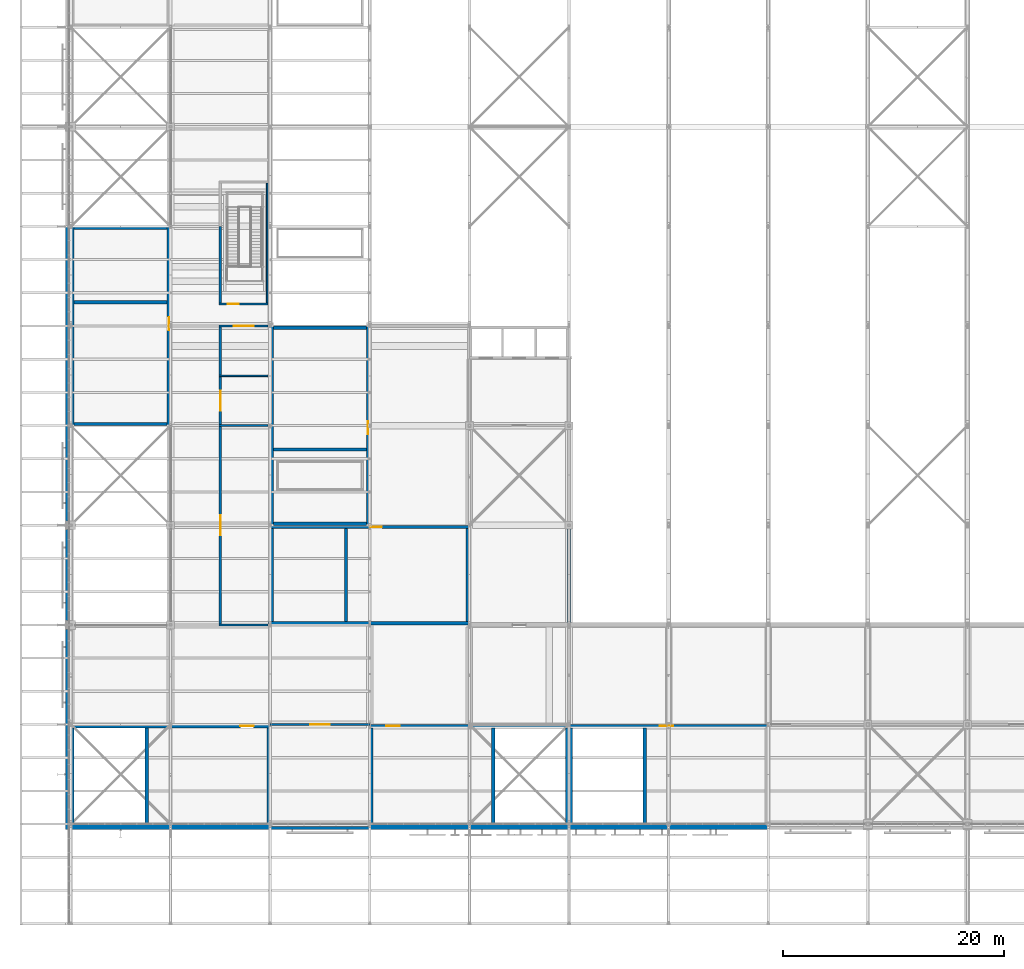
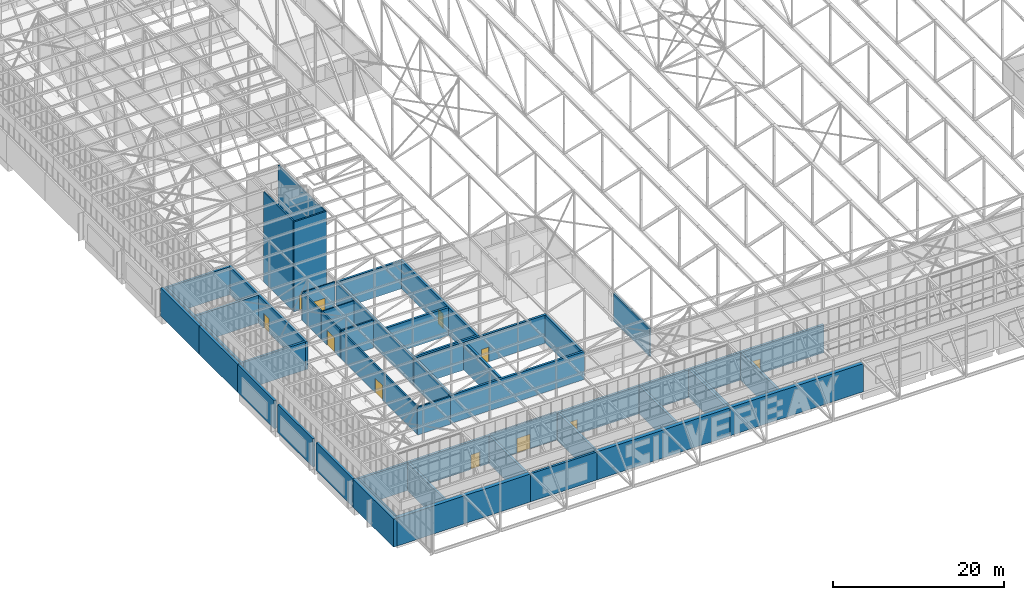
# One storey, part 165 of 646: 48 walls, 11 doors, 11 openings.
"""IFC4 building model written with IfcOpenShell, lengths in metres."""

from ifc_helpers import new_model, si_unit, direction, frame, frame_2d, origin, place, context, subcontext, project, spatial, rectangle, extrude, material, layer, layer_set, type_object, element, fill, save


model = new_model("IFC4")

# Units and contexts
model_context = context("Model", 3, precision=1e-05, world=origin(), true_north=direction((0.0, 1.0)))
body_context = subcontext(model_context, "Body", "Model", "MODEL_VIEW")
ifc_project = project(units=[si_unit("LENGTHUNIT", "METRE"), si_unit("AREAUNIT", "SQUARE_METRE"), si_unit("VOLUMEUNIT", "CUBIC_METRE"), si_unit("PLANEANGLEUNIT", "RADIAN"), si_unit("MASSUNIT", "GRAM", prefix="KILO")], contexts=[model_context])

# Site, building, storey
site_placement = place(None, origin())
site = spatial("IfcSite", under=ifc_project, at=site_placement, CompositionType="ELEMENT")
building_placement = place(site_placement, origin())
building = spatial("IfcBuilding", under=site, at=building_placement, Name="Silverbay Arena", CompositionType="ELEMENT")
storey_placement = place(building_placement, frame((0.0, 0.0, 33.5)))
storey = spatial("IfcBuildingStorey", under=building, at=storey_placement, Name="L05", CompositionType="ELEMENT", Elevation=33.5)

# Walls
ifc_material_1 = material(Name="Anodised aluminium cladding on insulated backing", Category="aluminium")
ifc_layer_1 = layer(ifc_material_1, 0.300048828125)
ifc_layer_set_1 = layer_set([ifc_layer_1], Name="Anodised aluminium cladding on insulated backing")
wall_type_1 = type_object("IfcWallType", Name="Aluminium clad wall 300", PredefinedType="SOLIDWALL", material=ifc_layer_set_1)
wall_1_placement = place(storey_placement, frame((53.64990234375, 35.60009765625, 0.0), z_axis=(0.0, 0.0, 1.0), x_axis=(0.0, -1.0, 0.0)))
element("IfcWall", 1, at=wall_1_placement, inside=storey, type_object=wall_type_1, Name="West external wall L05 bay 2", PredefinedType="SOLIDWALL", context=body_context, shape_type="SweptSolid", body=[
    extrude(rectangle(XDim=8.60009765625, YDim=0.300048828125, at=frame_2d((4.300048828125, 0.0))), origin(), (0.0, 0.0, 1.0), 4.0),
])
wall_2_placement = place(storey_placement, frame((53.64990234375, 44.60009765625, 0.0), z_axis=(0.0, 0.0, 1.0), x_axis=(0.0, -1.0, 0.0)))
element("IfcWall", 2, at=wall_2_placement, inside=storey, type_object=wall_type_1, Name="West external wall L05 bay 3", PredefinedType="SOLIDWALL", context=body_context, shape_type="SweptSolid", body=[
    extrude(rectangle(XDim=8.2001953125, YDim=0.300048828125, at=frame_2d((4.10009765625, 0.0))), origin(), (0.0, 0.0, 1.0), 4.0),
])
wall_3_placement = place(storey_placement, frame((53.64990234375, 54.0, 0.0), z_axis=(0.0, 0.0, 1.0), x_axis=(0.0, -1.0, 0.0)))
element("IfcWall", 3, at=wall_3_placement, inside=storey, type_object=wall_type_1, Name="West external wall L05 bay 4", PredefinedType="SOLIDWALL", context=body_context, shape_type="SweptSolid", body=[
    extrude(rectangle(XDim=8.60009765625, YDim=0.300048828125, at=frame_2d((4.300048828125, 0.0))), origin(), (0.0, 0.0, 1.0), 4.0),
])
ifc_material_2 = material(Name="Anodised aluminium cladding on insulated backing", Category="aluminium")
ifc_layer_2 = layer(ifc_material_2, 0.300048828125)
ifc_layer_set_2 = layer_set([ifc_layer_2], Name="Anodised aluminium cladding on insulated backing")
wall_type_2 = type_object("IfcWallType", Name="Aluminium clad wall 300 EI 120", PredefinedType="SOLIDWALL", material=ifc_layer_set_2)
wall_4_placement = place(storey_placement, frame((72.0, 17.64990234375, 0.0), z_axis=(0.0, 0.0, 1.0), x_axis=(1.0, 0.0, 0.0)))
element("IfcWall", 4, at=wall_4_placement, inside=storey, type_object=wall_type_2, Name="South external wall L05 bay 3", PredefinedType="SOLIDWALL", context=body_context, shape_type="SweptSolid", body=[
    extrude(rectangle(XDim=9.0, YDim=0.300048828125, at=frame_2d((4.5, 0.0))), origin(), (0.0, 0.0, 1.0), 4.0),
])
ifc_material_3 = material(Name="Concrete Grade C45", Category="concrete")
ifc_layer_3 = layer(ifc_material_3, 0.25)
ifc_layer_set_3 = layer_set([ifc_layer_3], Name="Concrete Grade C45")
wall_type_3 = type_object("IfcWallType", Name="Bowl enclosure wall RC 250 EI 120", PredefinedType="SOLIDWALL", material=ifc_layer_set_3)
wall_5_placement = place(storey_placement, frame((99.0, 36.199951171875, 0.0), z_axis=(0.0, 0.0, 1.0), x_axis=(0.0, 1.0, 0.0)))
element("IfcWall", 5, at=wall_5_placement, inside=storey, type_object=wall_type_3, Name="Bowl enclosure wall, corner block SW-x", PredefinedType="SOLIDWALL", context=body_context, shape_type="SweptSolid", body=[
    extrude(rectangle(XDim=8.449951171875, YDim=0.25, at=frame_2d((4.22509765625, 0.0))), origin(), (0.0, 0.0, 1.0), 4.0),
])

# Wall, opening, door
ifc_material_4 = material(Name="Concrete Grade C45", Category="concrete")
ifc_layer_4 = layer(ifc_material_4, 0.300048828125)
ifc_layer_set_4 = layer_set([ifc_layer_4], Name="Concrete Grade C45")
wall_type_4 = type_object("IfcWallType", Name="Core wall RC 300 EI 120", PredefinedType="SHEAR", material=ifc_layer_set_4)
wall_6_placement = place(storey_placement, frame((81.0, 26.85009765625, 0.0), z_axis=(0.0, 0.0, 1.0), x_axis=(1.0, 0.0, 0.0)))
wall_6 = element("IfcWall", 6, at=wall_6_placement, inside=storey, type_object=wall_type_4, Name="Core wall ST-S1 L05 door side", PredefinedType="SHEAR", context=body_context, shape_type="SweptSolid", body=[
    extrude(rectangle(XDim=18.0, YDim=0.300048828125, at=frame_2d((9.0, 0.0))), origin(), (0.0, 0.0, 1.0), 4.0),
])
opening_1_placement = place(wall_6_placement, frame((1.5, 0.0, 0.0)))
opening_1 = element("IfcOpeningElement", 7, at=opening_1_placement, cuts=wall_6, Name="Opening L05-027", PredefinedType="OPENING", context=body_context, shape_type="SweptSolid", body=[
    extrude(rectangle(XDim=1.199951171875, YDim=2.10009765625, at=frame_2d((0.60009765625, 1.050048828125))), frame((0.0, 0.16015625, 0.0), z_axis=(0.0, -1.0, 0.0), x_axis=(1.0, 0.0, 0.0)), (0.0, 0.0, 1.0), 0.320068359375),
])
ifc_material_5 = material(Name="Steel fire door", Category="steel")
door_type_1 = type_object("IfcDoorType", Name="Stair door 1200 x 2100 fire door", OperationType="SINGLE_SWING_LEFT", PredefinedType="DOOR", material=ifc_material_5)
door_1_placement = place(opening_1_placement, frame((1.199951171875, 0.0, 0.0), z_axis=(0.0, 0.0, 1.0), x_axis=(-1.0, 0.0, 0.0)))
door_1 = element("IfcDoor", 8, at=door_1_placement, inside=storey, type_object=door_type_1, Name="Stair door ST-S1 L05", OperationType="SINGLE_SWING_RIGHT", OverallHeight=2.10009765625, OverallWidth=1.199951171875, PredefinedType="DOOR", context=body_context, shape_type="SweptSolid", body=[
    extrude(rectangle(XDim=1.199951171875, YDim=2.10009765625, at=frame_2d((0.60009765625, 1.050048828125))), frame((0.0, 0.02490234375, 0.0), z_axis=(0.0, -1.0, 0.0), x_axis=(1.0, 0.0, 0.0)), (0.0, 0.0, 1.0), 0.050048828125),
])
fill(opening_1, door_1)

# Walls
for number, where, z_axis, x_axis, name in (
    (9, (81.14990234375, 26.699951171875, 0.0), (0.0, 0.0, 1.0), (0.0, -1.0, 0.0), "Core wall ST-S1 L05 end 1"),
    (10, (98.85009765625, 26.699951171875, 0.0), (0.0, 0.0, 1.0), (0.0, -1.0, 0.0), "Core wall ST-S1 L05 end 2"),
    (11, (92.14990234375, 26.699951171875, 0.0), (0.0, 0.0, 1.0), (0.0, -1.0, 0.0), "Core wall ST-S1 L05 stair enclosure"),
):
    element("IfcWall", number, at=place(storey_placement, frame(where, z_axis=z_axis, x_axis=x_axis)), inside=storey, type_object=wall_type_4, Name=name, PredefinedType="SHEAR", context=body_context, shape_type="SweptSolid", body=[
        extrude(rectangle(XDim=8.699951171875, YDim=0.300048828125, at=frame_2d((4.35009765625, 0.0))), origin(), (0.0, 0.0, 1.0), 4.0),
    ])

# Wall, opening, door
wall_7_placement = place(storey_placement, frame((117.0, 26.85009765625, 0.0), z_axis=(0.0, 0.0, 1.0), x_axis=(-1.0, 0.0, 0.0)))
wall_7 = element("IfcWall", 12, at=wall_7_placement, inside=storey, type_object=wall_type_4, Name="Core wall ST-S2 L05 door side", PredefinedType="SHEAR", context=body_context, shape_type="SweptSolid", body=[
    extrude(rectangle(XDim=18.0, YDim=0.300048828125, at=frame_2d((9.0, 0.0))), origin(), (0.0, 0.0, 1.0), 4.0),
])
opening_2_placement = place(wall_7_placement, frame((8.60009765625, 0.0, 0.0)))
opening_2 = element("IfcOpeningElement", 13, at=opening_2_placement, cuts=wall_7, Name="Opening L05-028", PredefinedType="OPENING", context=body_context, shape_type="SweptSolid", body=[
    extrude(rectangle(XDim=1.199951171875, YDim=2.10009765625, at=frame_2d((0.60009765625, 1.050048828125))), frame((0.0, 0.16015625, 0.0), z_axis=(0.0, -1.0, 0.0), x_axis=(1.0, 0.0, 0.0)), (0.0, 0.0, 1.0), 0.320068359375),
])
door_2_placement = place(opening_2_placement, origin())
door_2 = element("IfcDoor", 14, at=door_2_placement, inside=storey, type_object=door_type_1, Name="Stair door ST-S2 L05", OperationType="SINGLE_SWING_RIGHT", OverallHeight=2.10009765625, OverallWidth=1.199951171875, PredefinedType="DOOR", context=body_context, shape_type="SweptSolid", body=[
    extrude(rectangle(XDim=1.199951171875, YDim=2.10009765625, at=frame_2d((0.60009765625, 1.050048828125))), frame((0.0, 0.02490234375, 0.0), z_axis=(0.0, -1.0, 0.0), x_axis=(1.0, 0.0, 0.0)), (0.0, 0.0, 1.0), 0.050048828125),
])
fill(opening_2, door_2)

# Walls
for number, where, z_axis, x_axis, name in (
    (15, (99.14990234375, 26.699951171875, 0.0), (0.0, 0.0, 1.0), (0.0, -1.0, 0.0), "Core wall ST-S2 L05 end 2"),
    (16, (105.85009765625, 26.699951171875, 0.0), (0.0, 0.0, 1.0), (0.0, -1.0, 0.0), "Core wall ST-S2 L05 stair enclosure"),
):
    element("IfcWall", number, at=place(storey_placement, frame(where, z_axis=z_axis, x_axis=x_axis)), inside=storey, type_object=wall_type_4, Name=name, PredefinedType="SHEAR", context=body_context, shape_type="SweptSolid", body=[
        extrude(rectangle(XDim=8.699951171875, YDim=0.300048828125, at=frame_2d((4.35009765625, 0.0))), origin(), (0.0, 0.0, 1.0), 4.0),
    ])

# Wall, opening, door
wall_8_placement = place(storey_placement, frame((72.0, 26.85009765625, 0.0), z_axis=(0.0, 0.0, 1.0), x_axis=(-1.0, 0.0, 0.0)))
wall_8 = element("IfcWall", 17, at=wall_8_placement, inside=storey, type_object=wall_type_4, Name="Core wall ST-S5 L05 door side", PredefinedType="SHEAR", context=body_context, shape_type="SweptSolid", body=[
    extrude(rectangle(XDim=18.0, YDim=0.300048828125, at=frame_2d((9.0, 0.0))), origin(), (0.0, 0.0, 1.0), 4.0),
])
opening_3_placement = place(wall_8_placement, frame((1.5, 0.0, 0.0)))
opening_3 = element("IfcOpeningElement", 18, at=opening_3_placement, cuts=wall_8, Name="Opening L05-035", PredefinedType="OPENING", context=body_context, shape_type="SweptSolid", body=[
    extrude(rectangle(XDim=1.199951171875, YDim=2.10009765625, at=frame_2d((0.60009765625, 1.050048828125))), frame((0.0, 0.16015625, 0.0), z_axis=(0.0, -1.0, 0.0), x_axis=(1.0, 0.0, 0.0)), (0.0, 0.0, 1.0), 0.320068359375),
])
door_3_placement = place(opening_3_placement, origin())
door_3 = element("IfcDoor", 19, at=door_3_placement, inside=storey, type_object=door_type_1, Name="Stair door ST-S5 L05", OperationType="SINGLE_SWING_LEFT", OverallHeight=2.10009765625, OverallWidth=1.199951171875, PredefinedType="DOOR", context=body_context, shape_type="SweptSolid", body=[
    extrude(rectangle(XDim=1.199951171875, YDim=2.10009765625, at=frame_2d((0.60009765625, 1.050048828125))), frame((0.0, 0.02490234375, 0.0), z_axis=(0.0, -1.0, 0.0), x_axis=(1.0, 0.0, 0.0)), (0.0, 0.0, 1.0), 0.050048828125),
])
fill(opening_3, door_3)

# Walls
for number, where, z_axis, x_axis, name in (
    (20, (71.85009765625, 26.699951171875, 0.0), (0.0, 0.0, 1.0), (0.0, -1.0, 0.0), "Core wall ST-S5 L05 end 1"),
    (21, (54.14990234375, 26.699951171875, 0.0), (0.0, 0.0, 1.0), (0.0, -1.0, 0.0), "Core wall ST-S5 L05 end 2"),
    (22, (60.85009765625, 26.699951171875, 0.0), (0.0, 0.0, 1.0), (0.0, -1.0, 0.0), "Core wall ST-S5 L05 stair enclosure"),
):
    element("IfcWall", number, at=place(storey_placement, frame(where, z_axis=z_axis, x_axis=x_axis)), inside=storey, type_object=wall_type_4, Name=name, PredefinedType="SHEAR", context=body_context, shape_type="SweptSolid", body=[
        extrude(rectangle(XDim=8.699951171875, YDim=0.300048828125, at=frame_2d((4.35009765625, 0.0))), origin(), (0.0, 0.0, 1.0), 4.0),
    ])

# Wall, opening, door
wall_9_placement = place(storey_placement, frame((62.85009765625, 54.0, 0.0), z_axis=(0.0, 0.0, 1.0), x_axis=(0.0, 1.0, 0.0)))
wall_9 = element("IfcWall", 23, at=wall_9_placement, inside=storey, type_object=wall_type_4, Name="Core wall ST-W1 L05 door side", PredefinedType="SHEAR", context=body_context, shape_type="SweptSolid", body=[
    extrude(rectangle(XDim=18.0, YDim=0.300048828125, at=frame_2d((9.0, 0.0))), origin(), (0.0, 0.0, 1.0), 4.0),
])
opening_4_placement = place(wall_9_placement, frame((8.60009765625, 0.0, 0.0)))
opening_4 = element("IfcOpeningElement", 24, at=opening_4_placement, cuts=wall_9, Name="Opening L05-039", PredefinedType="OPENING", context=body_context, shape_type="SweptSolid", body=[
    extrude(rectangle(XDim=1.199951171875, YDim=2.10009765625, at=frame_2d((0.60009765625, 1.050048828125))), frame((0.0, 0.16015625, 0.0), z_axis=(0.0, -1.0, 0.0), x_axis=(1.0, 0.0, 0.0)), (0.0, 0.0, 1.0), 0.320068359375),
])
door_4_placement = place(opening_4_placement, origin())
door_4 = element("IfcDoor", 25, at=door_4_placement, inside=storey, type_object=door_type_1, Name="Stair door ST-W1 L05", OperationType="SINGLE_SWING_RIGHT", OverallHeight=2.10009765625, OverallWidth=1.199951171875, PredefinedType="DOOR", context=body_context, shape_type="SweptSolid", body=[
    extrude(rectangle(XDim=1.199951171875, YDim=2.10009765625, at=frame_2d((0.60009765625, 1.050048828125))), frame((0.0, 0.02490234375, 0.0), z_axis=(0.0, -1.0, 0.0), x_axis=(1.0, 0.0, 0.0)), (0.0, 0.0, 1.0), 0.050048828125),
])
fill(opening_4, door_4)

# Walls
wall_10_placement = place(storey_placement, frame((54.14990234375, 54.0, 0.0), z_axis=(0.0, 0.0, 1.0), x_axis=(0.0, 1.0, 0.0)))
element("IfcWall", 26, at=wall_10_placement, inside=storey, type_object=wall_type_4, Name="Core wall ST-W1 L05 far side", PredefinedType="SHEAR", context=body_context, shape_type="SweptSolid", body=[
    extrude(rectangle(XDim=18.0, YDim=0.300048828125, at=frame_2d((9.0, 0.0))), origin(), (0.0, 0.0, 1.0), 4.0),
])
for number, where, z_axis, x_axis, name in (
    (27, (62.699951171875, 54.14990234375, 0.0), (0.0, 0.0, 1.0), (-1.0, 0.0, 0.0), "Core wall ST-W1 L05 end 1"),
    (28, (62.699951171875, 71.85009765625, 0.0), (0.0, 0.0, 1.0), (-1.0, 0.0, 0.0), "Core wall ST-W1 L05 end 2"),
    (29, (62.699951171875, 65.14990234375, 0.0), (0.0, 0.0, 1.0), (-1.0, 0.0, 0.0), "Core wall ST-W1 L05 stair enclosure"),
):
    element("IfcWall", number, at=place(storey_placement, frame(where, z_axis=z_axis, x_axis=x_axis)), inside=storey, type_object=wall_type_4, Name=name, PredefinedType="SHEAR", context=body_context, shape_type="SweptSolid", body=[
        extrude(rectangle(XDim=8.39990234375, YDim=0.300048828125, at=frame_2d((4.199951171875, 0.0))), origin(), (0.0, 0.0, 1.0), 4.0),
    ])

# Wall, opening, door
wall_11_placement = place(storey_placement, frame((90.0, 44.85009765625, 0.0), z_axis=(0.0, 0.0, 1.0), x_axis=(-1.0, 0.0, 0.0)))
wall_11 = element("IfcWall", 30, at=wall_11_placement, inside=storey, type_object=wall_type_4, Name="Core wall ST-SW1 L05 door side", PredefinedType="SHEAR", context=body_context, shape_type="SweptSolid", body=[
    extrude(rectangle(XDim=18.0, YDim=0.300048828125, at=frame_2d((9.0, 0.0))), origin(), (0.0, 0.0, 1.0), 4.0),
])
opening_5_placement = place(wall_11_placement, frame((7.89990234375, 0.0, 0.0)))
opening_5 = element("IfcOpeningElement", 31, at=opening_5_placement, cuts=wall_11, Name="Opening L05-043", PredefinedType="OPENING", context=body_context, shape_type="SweptSolid", body=[
    extrude(rectangle(XDim=1.0, YDim=2.10009765625, at=frame_2d((0.5, 1.050048828125))), frame((0.0, 0.16015625, 0.0), z_axis=(0.0, -1.0, 0.0), x_axis=(1.0, 0.0, 0.0)), (0.0, 0.0, 1.0), 0.320068359375),
])
ifc_material_6 = material(Name="Steel fire door", Category="steel")
door_type_2 = type_object("IfcDoorType", Name="Stair door 1000 x 2100 fire door", OperationType="SINGLE_SWING_LEFT", PredefinedType="DOOR", material=ifc_material_6)
door_5_placement = place(opening_5_placement, origin())
door_5 = element("IfcDoor", 32, at=door_5_placement, inside=storey, type_object=door_type_2, Name="Stair door ST-SW1 L05", OperationType="SINGLE_SWING_LEFT", OverallHeight=2.10009765625, OverallWidth=1.0, PredefinedType="DOOR", context=body_context, shape_type="SweptSolid", body=[
    extrude(rectangle(XDim=1.0, YDim=2.10009765625, at=frame_2d((0.5, 1.050048828125))), frame((0.0, 0.02490234375, 0.0), z_axis=(0.0, -1.0, 0.0), x_axis=(1.0, 0.0, 0.0)), (0.0, 0.0, 1.0), 0.050048828125),
])
fill(opening_5, door_5)

# Walls
wall_12_placement = place(storey_placement, frame((90.0, 36.14990234375, 0.0), z_axis=(0.0, 0.0, 1.0), x_axis=(-1.0, 0.0, 0.0)))
element("IfcWall", 33, at=wall_12_placement, inside=storey, type_object=wall_type_4, Name="Core wall ST-SW1 L05 far side", PredefinedType="SHEAR", context=body_context, shape_type="SweptSolid", body=[
    extrude(rectangle(XDim=18.199951171875, YDim=0.300048828125, at=frame_2d((9.10009765625, 0.0))), origin(), (0.0, 0.0, 1.0), 4.0),
])
for number, where, z_axis, x_axis, name in (
    (34, (89.85009765625, 44.699951171875, 0.0), (0.0, 0.0, 1.0), (0.0, -1.0, 0.0), "Core wall ST-SW1 L05 end 1"),
    (35, (72.14990234375, 44.699951171875, 0.0), (0.0, 0.0, 1.0), (0.0, -1.0, 0.0), "Core wall ST-SW1 L05 end 2"),
    (36, (78.85009765625, 44.699951171875, 0.0), (0.0, 0.0, 1.0), (0.0, -1.0, 0.0), "Core wall ST-SW1 L05 stair enclosure"),
):
    element("IfcWall", number, at=place(storey_placement, frame(where, z_axis=z_axis, x_axis=x_axis)), inside=storey, type_object=wall_type_4, Name=name, PredefinedType="SHEAR", context=body_context, shape_type="SweptSolid", body=[
        extrude(rectangle(XDim=8.39990234375, YDim=0.300048828125, at=frame_2d((4.199951171875, 0.0))), origin(), (0.0, 0.0, 1.0), 4.0),
    ])

# Wall, opening, door
wall_13_placement = place(storey_placement, frame((80.85009765625, 63.0, 0.0), z_axis=(0.0, 0.0, 1.0), x_axis=(0.0, -1.0, 0.0)))
wall_13 = element("IfcWall", 37, at=wall_13_placement, inside=storey, type_object=wall_type_4, Name="Core wall ST-SW2 L05 door side", PredefinedType="SHEAR", context=body_context, shape_type="SweptSolid", body=[
    extrude(rectangle(XDim=18.0, YDim=0.300048828125, at=frame_2d((9.0, 0.0))), origin(), (0.0, 0.0, 1.0), 4.0),
])
opening_6_placement = place(wall_13_placement, frame((8.60009765625, 0.0, 0.0)))
opening_6 = element("IfcOpeningElement", 38, at=opening_6_placement, cuts=wall_13, Name="Opening L05-044", PredefinedType="OPENING", context=body_context, shape_type="SweptSolid", body=[
    extrude(rectangle(XDim=1.199951171875, YDim=2.10009765625, at=frame_2d((0.60009765625, 1.050048828125))), frame((0.0, 0.16015625, 0.0), z_axis=(0.0, -1.0, 0.0), x_axis=(1.0, 0.0, 0.0)), (0.0, 0.0, 1.0), 0.320068359375),
])
door_6_placement = place(opening_6_placement, frame((1.199951171875, 0.0, 0.0), z_axis=(0.0, 0.0, 1.0), x_axis=(-1.0, 0.0, 0.0)))
door_6 = element("IfcDoor", 39, at=door_6_placement, inside=storey, type_object=door_type_1, Name="Stair door ST-SW2 L05", OperationType="SINGLE_SWING_LEFT", OverallHeight=2.10009765625, OverallWidth=1.199951171875, PredefinedType="DOOR", context=body_context, shape_type="SweptSolid", body=[
    extrude(rectangle(XDim=1.199951171875, YDim=2.10009765625, at=frame_2d((0.60009765625, 1.050048828125))), frame((0.0, 0.02490234375, 0.0), z_axis=(0.0, -1.0, 0.0), x_axis=(1.0, 0.0, 0.0)), (0.0, 0.0, 1.0), 0.050048828125),
])
fill(opening_6, door_6)

# Walls
wall_14_placement = place(storey_placement, frame((72.14990234375, 63.0, 0.0), z_axis=(0.0, 0.0, 1.0), x_axis=(0.0, -1.0, 0.0)))
element("IfcWall", 40, at=wall_14_placement, inside=storey, type_object=wall_type_4, Name="Core wall ST-SW2 L05 far side", PredefinedType="SHEAR", context=body_context, shape_type="SweptSolid", body=[
    extrude(rectangle(XDim=18.0, YDim=0.300048828125, at=frame_2d((9.0, 0.0))), origin(), (0.0, 0.0, 1.0), 4.0),
])
for number, where, z_axis, x_axis, name in (
    (41, (80.699951171875, 62.85009765625, 0.0), (0.0, 0.0, 1.0), (-1.0, 0.0, 0.0), "Core wall ST-SW2 L05 end 1"),
    (42, (80.699951171875, 45.14990234375, 0.0), (0.0, 0.0, 1.0), (-1.0, 0.0, 0.0), "Core wall ST-SW2 L05 end 2"),
    (43, (80.699951171875, 51.85009765625, 0.0), (0.0, 0.0, 1.0), (-1.0, 0.0, 0.0), "Core wall ST-SW2 L05 stair enclosure"),
):
    element("IfcWall", number, at=place(storey_placement, frame(where, z_axis=z_axis, x_axis=x_axis)), inside=storey, type_object=wall_type_4, Name=name, PredefinedType="SHEAR", context=body_context, shape_type="SweptSolid", body=[
        extrude(rectangle(XDim=8.39990234375, YDim=0.300048828125, at=frame_2d((4.199951171875, 0.0))), origin(), (0.0, 0.0, 1.0), 4.0),
    ])
ifc_material_7 = material(Name="Concrete Grade C45", Category="concrete")
ifc_layer_5 = layer(ifc_material_7, 0.5)
ifc_layer_set_5 = layer_set([ifc_layer_5], Name="Concrete Grade C45")
wall_type_5 = type_object("IfcWallType", Name="Core wall RC 500 external EI 120", PredefinedType="SHEAR", material=ifc_layer_set_5)
for number, where, z_axis, x_axis, name in (
    (44, (81.0, 17.75, 0.0), (0.0, 0.0, 1.0), (1.0, 0.0, 0.0), "Core wall ST-S1 L05 facade side"),
    (45, (117.0, 17.75, 0.0), (0.0, 0.0, 1.0), (-1.0, 0.0, 0.0), "Core wall ST-S2 L05 facade side"),
    (46, (72.0, 17.75, 0.0), (0.0, 0.0, 1.0), (-1.0, 0.0, 0.0), "Core wall ST-S5 L05 facade side"),
):
    element("IfcWall", number, at=place(storey_placement, frame(where, z_axis=z_axis, x_axis=x_axis)), inside=storey, type_object=wall_type_5, Name=name, PredefinedType="SHEAR", context=body_context, shape_type="SweptSolid", body=[
        extrude(rectangle(XDim=18.0, YDim=0.5, at=frame_2d((9.0, 0.0))), origin(), (0.0, 0.0, 1.0), 4.0),
    ])
ifc_material_8 = material(Name="Gypsum board partition on steel studs", Category="steel")
ifc_layer_6 = layer(ifc_material_8, 0.14990234375)
ifc_layer_set_6 = layer_set([ifc_layer_6], Name="Gypsum board partition on steel studs")
wall_type_6 = type_object("IfcWallType", Name="Partition 150 EI 60", PredefinedType="PARTITIONING", material=ifc_layer_set_6)
wall_15_placement = place(storey_placement, frame((67.39990234375, 58.5, 0.0), z_axis=(0.0, 0.0, 1.0), x_axis=(1.0, 0.0, 0.0)))
element("IfcWall", 47, at=wall_15_placement, inside=storey, type_object=wall_type_6, Name="Partition wall", PredefinedType="PARTITIONING", context=body_context, shape_type="SweptSolid", body=[
    extrude(rectangle(XDim=4.400146484375, YDim=0.14990234375, at=frame_2d((2.2001953125, 0.0))), origin(), (0.0, 0.0, 1.0), 4.0),
])

# Wall, opening, door
wall_16_placement = place(storey_placement, frame((67.39990234375, 63.0, 0.0), z_axis=(0.0, 0.0, 1.0), x_axis=(1.0, 0.0, 0.0)))
wall_16 = element("IfcWall", 48, at=wall_16_placement, inside=storey, type_object=wall_type_6, Name="Partition wall", PredefinedType="PARTITIONING", context=body_context, shape_type="SweptSolid", body=[
    extrude(rectangle(XDim=4.400146484375, YDim=0.14990234375, at=frame_2d((2.2001953125, 0.0))), origin(), (0.0, 0.0, 1.0), 4.0),
])
opening_7_placement = place(wall_16_placement, frame((1.300048828125, 0.0, 0.0)))
opening_7 = element("IfcOpeningElement", 49, at=opening_7_placement, cuts=wall_16, Name="Opening L05-009", PredefinedType="OPENING", context=body_context, shape_type="SweptSolid", body=[
    extrude(rectangle(XDim=1.800048828125, YDim=2.10009765625, at=frame_2d((0.89990234375, 1.050048828125))), frame((0.0, 0.0849609375, 0.0), z_axis=(0.0, -1.0, 0.0), x_axis=(1.0, 0.0, 0.0)), (0.0, 0.0, 1.0), 0.169921875),
])
ifc_material_9 = material(Name="Steel faced timber", Category="steel")
door_type_3 = type_object("IfcDoorType", Name="Double leaf door 1800 x 2100 FD30S", OperationType="DOUBLE_DOOR_DOUBLE_SWING", PredefinedType="DOOR", material=ifc_material_9)
door_7_placement = place(opening_7_placement, frame((1.800048828125, 0.0, 0.0), z_axis=(0.0, 0.0, 1.0), x_axis=(-1.0, 0.0, 0.0)))
door_7 = element("IfcDoor", 50, at=door_7_placement, inside=storey, type_object=door_type_3, Name="Door L05-009", OperationType="DOUBLE_DOOR_DOUBLE_SWING", OverallHeight=2.10009765625, OverallWidth=1.800048828125, PredefinedType="DOOR", context=body_context, shape_type="SweptSolid", body=[
    extrude(rectangle(XDim=1.800048828125, YDim=2.10009765625, at=frame_2d((0.89990234375, 1.050048828125))), frame((0.0, 0.02490234375, 0.0), z_axis=(0.0, -1.0, 0.0), x_axis=(1.0, 0.0, 0.0)), (0.0, 0.0, 1.0), 0.050048828125),
])
fill(opening_7, door_7)

ifc_material_10 = material(Name="Masonry blockwork partition", Category="masonry")
ifc_layer_7 = layer(ifc_material_10, 0.199951171875)
ifc_layer_set_7 = layer_set([ifc_layer_7], Name="Masonry blockwork partition")
wall_type_7 = type_object("IfcWallType", Name="Partition 200 EI 120", PredefinedType="PARTITIONING", material=ifc_layer_set_7)
wall_17_placement = place(storey_placement, frame((72.0, 27.0, 0.0), z_axis=(0.0, 0.0, 1.0), x_axis=(1.0, 0.0, 0.0)))
wall_17 = element("IfcWall", 51, at=wall_17_placement, inside=storey, type_object=wall_type_7, Name="Partition wall", PredefinedType="PARTITIONING", context=body_context, shape_type="SweptSolid", body=[
    extrude(rectangle(XDim=9.0, YDim=0.199951171875, at=frame_2d((4.5, 0.0))), origin(), (0.0, 0.0, 1.0), 4.0),
])
opening_8_placement = place(wall_17_placement, frame((3.60009765625, 0.0, 0.0)))
opening_8 = element("IfcOpeningElement", 52, at=opening_8_placement, cuts=wall_17, Name="Opening L05-001", PredefinedType="OPENING", context=body_context, shape_type="SweptSolid", body=[
    extrude(rectangle(XDim=1.800048828125, YDim=2.10009765625, at=frame_2d((0.89990234375, 1.050048828125))), frame((0.0, 0.10986328125, 0.0), z_axis=(0.0, -1.0, 0.0), x_axis=(1.0, 0.0, 0.0)), (0.0, 0.0, 1.0), 0.219970703125),
])
ifc_material_11 = material(Name="Steel faced timber", Category="steel")
door_type_4 = type_object("IfcDoorType", Name="Double leaf door 1800 x 2100 FD120", OperationType="DOUBLE_DOOR_DOUBLE_SWING", PredefinedType="DOOR", material=ifc_material_11)
door_8_placement = place(opening_8_placement, frame((1.800048828125, 0.0, 0.0), z_axis=(0.0, 0.0, 1.0), x_axis=(-1.0, 0.0, 0.0)))
door_8 = element("IfcDoor", 53, at=door_8_placement, inside=storey, type_object=door_type_4, Name="Door L05-001", OperationType="DOUBLE_DOOR_DOUBLE_SWING", OverallHeight=2.10009765625, OverallWidth=1.800048828125, PredefinedType="DOOR", context=body_context, shape_type="SweptSolid", body=[
    extrude(rectangle(XDim=1.800048828125, YDim=2.10009765625, at=frame_2d((0.89990234375, 1.050048828125))), frame((0.0, 0.02490234375, 0.0), z_axis=(0.0, -1.0, 0.0), x_axis=(1.0, 0.0, 0.0)), (0.0, 0.0, 1.0), 0.050048828125),
])
fill(opening_8, door_8)

# Walls
for number, where, z_axis, x_axis, name in (
    (54, (67.39990234375, 36.0, 0.0), (0.0, 0.0, 1.0), (1.0, 0.0, 0.0), "Partition wall"),
    (55, (67.39990234375, 54.0, 0.0), (0.0, 0.0, 1.0), (1.0, 0.0, 0.0), "Partition wall"),
):
    element("IfcWall", number, at=place(storey_placement, frame(where, z_axis=z_axis, x_axis=x_axis)), inside=storey, type_object=wall_type_7, Name=name, PredefinedType="PARTITIONING", context=body_context, shape_type="SweptSolid", body=[
        extrude(rectangle(XDim=4.400146484375, YDim=0.199951171875, at=frame_2d((2.2001953125, 0.0))), origin(), (0.0, 0.0, 1.0), 4.0),
    ])

# Wall, opening, door
wall_18_placement = place(storey_placement, frame((67.39990234375, 65.0, 0.0), z_axis=(0.0, 0.0, 1.0), x_axis=(1.0, 0.0, 0.0)))
wall_18 = element("IfcWall", 56, at=wall_18_placement, inside=storey, type_object=wall_type_7, Name="Partition wall", PredefinedType="PARTITIONING", context=body_context, shape_type="SweptSolid", body=[
    extrude(rectangle(XDim=4.400146484375, YDim=0.199951171875, at=frame_2d((2.2001953125, 0.0))), origin(), (0.0, 0.0, 1.0), 12.85009765625),
])
opening_9_placement = place(wall_18_placement, frame((0.75, 0.0, 0.0)))
opening_9 = element("IfcOpeningElement", 57, at=opening_9_placement, cuts=wall_18, Name="Opening L05-019", PredefinedType="OPENING", context=body_context, shape_type="SweptSolid", body=[
    extrude(rectangle(XDim=1.0, YDim=2.10009765625, at=frame_2d((0.5, 1.050048828125))), frame((0.0, 0.10986328125, 0.0), z_axis=(0.0, -1.0, 0.0), x_axis=(1.0, 0.0, 0.0)), (0.0, 0.0, 1.0), 0.219970703125),
])
ifc_material_12 = material(Name="Steel faced timber", Category="steel")
door_type_5 = type_object("IfcDoorType", Name="Single leaf door 1000 x 2100 FD60", OperationType="SINGLE_SWING_LEFT", PredefinedType="DOOR", material=ifc_material_12)
door_9_placement = place(opening_9_placement, frame((1.0, 0.0, 0.0), z_axis=(0.0, 0.0, 1.0), x_axis=(-1.0, 0.0, 0.0)))
door_9 = element("IfcDoor", 58, at=door_9_placement, inside=storey, type_object=door_type_5, Name="Door L05-019", OperationType="SINGLE_SWING_RIGHT", OverallHeight=2.10009765625, OverallWidth=1.0, PredefinedType="DOOR", context=body_context, shape_type="SweptSolid", body=[
    extrude(rectangle(XDim=1.0, YDim=2.10009765625, at=frame_2d((0.5, 1.050048828125))), frame((0.0, 0.02490234375, 0.0), z_axis=(0.0, -1.0, 0.0), x_axis=(1.0, 0.0, 0.0)), (0.0, 0.0, 1.0), 0.050048828125),
])
fill(opening_9, door_9)

wall_19_placement = place(storey_placement, frame((67.5, 36.10009765625, 0.0), z_axis=(0.0, 0.0, 1.0), x_axis=(0.0, 1.0, 0.0)))
wall_19 = element("IfcWall", 59, at=wall_19_placement, inside=storey, type_object=wall_type_7, Name="Partition wall", PredefinedType="PARTITIONING", context=body_context, shape_type="SweptSolid", body=[
    extrude(rectangle(XDim=17.7998046875, YDim=0.199951171875, at=frame_2d((8.89990234375, 0.0))), origin(), (0.0, 0.0, 1.0), 4.0),
])
opening_10_placement = place(wall_19_placement, frame((8.0, 0.0, 0.0)))
opening_10 = element("IfcOpeningElement", 60, at=opening_10_placement, cuts=wall_19, Name="Opening L05-007", PredefinedType="OPENING", context=body_context, shape_type="SweptSolid", body=[
    extrude(rectangle(XDim=1.800048828125, YDim=2.10009765625, at=frame_2d((0.89990234375, 1.050048828125))), frame((0.0, 0.10986328125, 0.0), z_axis=(0.0, -1.0, 0.0), x_axis=(1.0, 0.0, 0.0)), (0.0, 0.0, 1.0), 0.219970703125),
])
door_10_placement = place(opening_10_placement, frame((1.800048828125, 0.0, 0.0), z_axis=(0.0, 0.0, 1.0), x_axis=(-1.0, 0.0, 0.0)))
door_10 = element("IfcDoor", 61, at=door_10_placement, inside=storey, type_object=door_type_4, Name="Door L05-007", OperationType="DOUBLE_DOOR_DOUBLE_SWING", OverallHeight=2.10009765625, OverallWidth=1.800048828125, PredefinedType="DOOR", context=body_context, shape_type="SweptSolid", body=[
    extrude(rectangle(XDim=1.800048828125, YDim=2.10009765625, at=frame_2d((0.89990234375, 1.050048828125))), frame((0.0, 0.02490234375, 0.0), z_axis=(0.0, -1.0, 0.0), x_axis=(1.0, 0.0, 0.0)), (0.0, 0.0, 1.0), 0.050048828125),
])
fill(opening_10, door_10)

# Wall
wall_20_placement = place(storey_placement, frame((67.5, 65.10009765625, 0.0), z_axis=(0.0, 0.0, 1.0), x_axis=(0.0, 1.0, 0.0)))
element("IfcWall", 62, at=wall_20_placement, inside=storey, type_object=wall_type_7, Name="Partition wall", PredefinedType="PARTITIONING", context=body_context, shape_type="SweptSolid", body=[
    extrude(rectangle(XDim=6.89990234375, YDim=0.199951171875, at=frame_2d((3.449951171875, 0.0))), origin(), (0.0, 0.0, 1.0), 12.85009765625),
])

# Wall, opening, door
ifc_material_13 = material(Name="Gypsum board partition on steel studs", Category="steel")
ifc_layer_8 = layer(ifc_material_13, 0.199951171875)
ifc_layer_set_8 = layer_set([ifc_layer_8], Name="Gypsum board partition on steel studs")
wall_type_8 = type_object("IfcWallType", Name="Partition 200 EI 60", PredefinedType="PARTITIONING", material=ifc_layer_set_8)
wall_21_placement = place(storey_placement, frame((67.5, 54.10009765625, 0.0), z_axis=(0.0, 0.0, 1.0), x_axis=(0.0, 1.0, 0.0)))
wall_21 = element("IfcWall", 63, at=wall_21_placement, inside=storey, type_object=wall_type_8, Name="Partition wall", PredefinedType="PARTITIONING", context=body_context, shape_type="SweptSolid", body=[
    extrude(rectangle(XDim=4.324951171875, YDim=0.199951171875, at=frame_2d((2.16259765625, 0.0))), origin(), (0.0, 0.0, 1.0), 4.0),
])
opening_11_placement = place(wall_21_placement, frame((1.261962890625, 0.0, 0.0)))
opening_11 = element("IfcOpeningElement", 64, at=opening_11_placement, cuts=wall_21, Name="Opening L05-008", PredefinedType="OPENING", context=body_context, shape_type="SweptSolid", body=[
    extrude(rectangle(XDim=1.800048828125, YDim=2.10009765625, at=frame_2d((0.89990234375, 1.050048828125))), frame((0.0, 0.10986328125, 0.0), z_axis=(0.0, -1.0, 0.0), x_axis=(1.0, 0.0, 0.0)), (0.0, 0.0, 1.0), 0.219970703125),
])
door_11_placement = place(opening_11_placement, frame((1.800048828125, 0.0, 0.0), z_axis=(0.0, 0.0, 1.0), x_axis=(-1.0, 0.0, 0.0)))
door_11 = element("IfcDoor", 65, at=door_11_placement, inside=storey, type_object=door_type_3, Name="Door L05-008", OperationType="DOUBLE_DOOR_DOUBLE_SWING", OverallHeight=2.10009765625, OverallWidth=1.800048828125, PredefinedType="DOOR", context=body_context, shape_type="SweptSolid", body=[
    extrude(rectangle(XDim=1.800048828125, YDim=2.10009765625, at=frame_2d((0.89990234375, 1.050048828125))), frame((0.0, 0.02490234375, 0.0), z_axis=(0.0, -1.0, 0.0), x_axis=(1.0, 0.0, 0.0)), (0.0, 0.0, 1.0), 0.050048828125),
])
fill(opening_11, door_11)

# Walls
wall_22_placement = place(storey_placement, frame((67.5, 58.574951171875, 0.0), z_axis=(0.0, 0.0, 1.0), x_axis=(0.0, 1.0, 0.0)))
element("IfcWall", 66, at=wall_22_placement, inside=storey, type_object=wall_type_8, Name="Partition wall", PredefinedType="PARTITIONING", context=body_context, shape_type="SweptSolid", body=[
    extrude(rectangle(XDim=4.35009765625, YDim=0.199951171875, at=frame_2d((2.175048828125, 0.0))), origin(), (0.0, 0.0, 1.0), 4.0),
])
ifc_material_14 = material(Name="Mineral board on steel studs", Category="steel")
ifc_layer_9 = layer(ifc_material_14, 0.14990234375)
ifc_layer_set_9 = layer_set([ifc_layer_9], Name="Mineral board on steel studs")
wall_type_9 = type_object("IfcWallType", Name="Shaft wall panel 150 EI 120", PredefinedType="SOLIDWALL", material=ifc_layer_set_9)
wall_23_placement = place(storey_placement, frame((71.72509765625, 65.10009765625, 0.0), z_axis=(0.0, 0.0, 1.0), x_axis=(0.0, 1.0, 0.0)))
element("IfcWall", 67, at=wall_23_placement, inside=storey, type_object=wall_type_9, Name="Stair RA1 shaft wall E", PredefinedType="SOLIDWALL", context=body_context, shape_type="SweptSolid", body=[
    extrude(rectangle(XDim=10.7998046875, YDim=0.14990234375, at=frame_2d((5.39990234375, 0.0))), origin(), (0.0, 0.0, 1.0), 12.85009765625),
])
ifc_material_15 = material(Name="Concrete Grade C45", Category="concrete")
ifc_layer_10 = layer(ifc_material_15, 0.35009765625)
ifc_layer_set_10 = layer_set([ifc_layer_10], Name="Concrete Grade C45")
wall_type_10 = type_object("IfcWallType", Name="Stair core facade wall 350", PredefinedType="SOLIDWALL", material=ifc_layer_set_10)
for number, where, z_axis, x_axis, name in (
    (68, (53.675048828125, 63.0, 0.0), (0.0, 0.0, 1.0), (0.0, -1.0, 0.0), "West external wall L05 bay 5"),
    (69, (53.675048828125, 72.0, 0.0), (0.0, 0.0, 1.0), (0.0, -1.0, 0.0), "West external wall L05 bay 6"),
):
    element("IfcWall", number, at=place(storey_placement, frame(where, z_axis=z_axis, x_axis=x_axis)), inside=storey, type_object=wall_type_10, Name=name, PredefinedType="SOLIDWALL", context=body_context, shape_type="SweptSolid", body=[
        extrude(rectangle(XDim=9.0, YDim=0.35009765625, at=frame_2d((4.5, 0.0))), origin(), (0.0, 0.0, 1.0), 4.0),
    ])
ifc_material_16 = material(Name="Concrete Grade C45", Category="concrete")
ifc_layer_11 = layer(ifc_material_16, 0.5)
ifc_layer_set_11 = layer_set([ifc_layer_11], Name="Concrete Grade C45")
wall_type_11 = type_object("IfcWallType", Name="Stair core facade wall 500", PredefinedType="SOLIDWALL", material=ifc_layer_set_11)
wall_24_placement = place(storey_placement, frame((53.75, 27.0, 0.0), z_axis=(0.0, 0.0, 1.0), x_axis=(0.0, -1.0, 0.0)))
element("IfcWall", 70, at=wall_24_placement, inside=storey, type_object=wall_type_11, Name="West stair core facade wall L05 bay 1", PredefinedType="SOLIDWALL", context=body_context, shape_type="SweptSolid", body=[
    extrude(rectangle(XDim=9.5, YDim=0.5, at=frame_2d((4.75, 0.0))), origin(), (0.0, 0.0, 1.0), 4.0),
])

save(model, "model.ifc")
